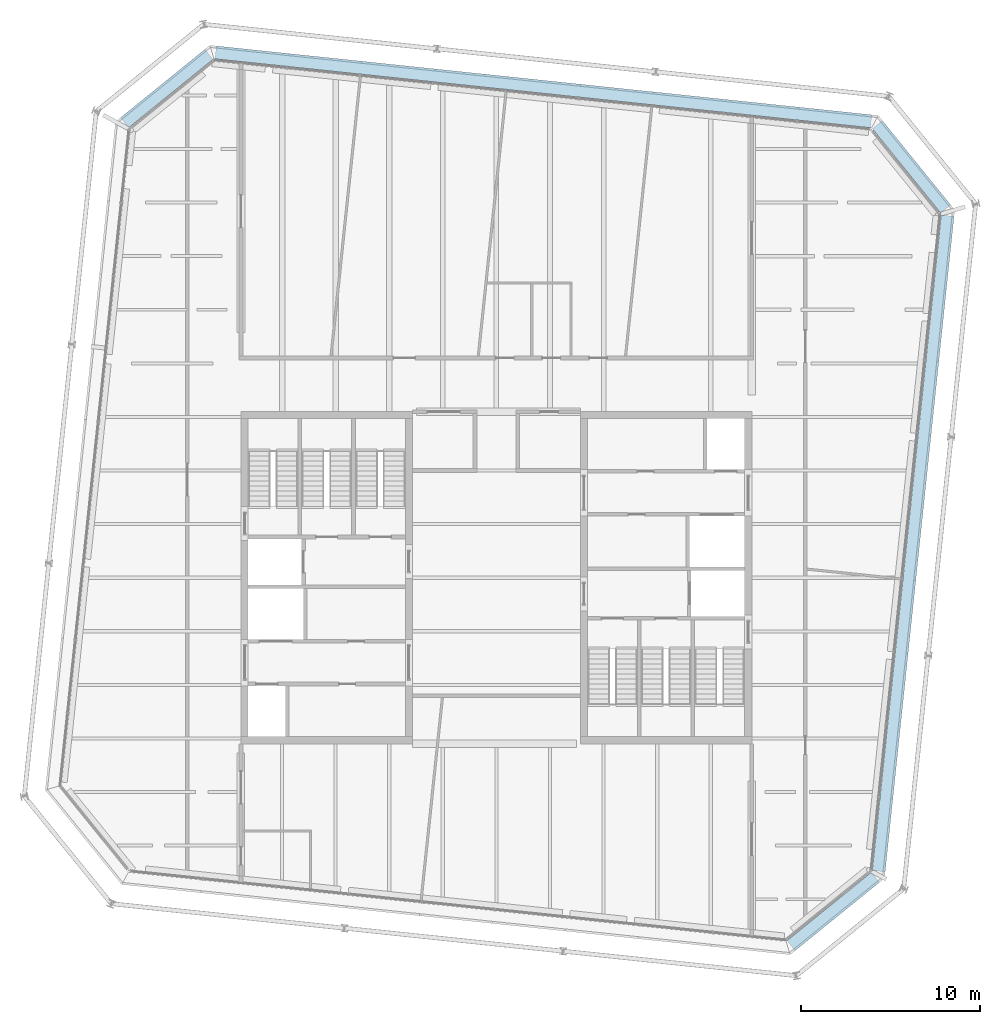
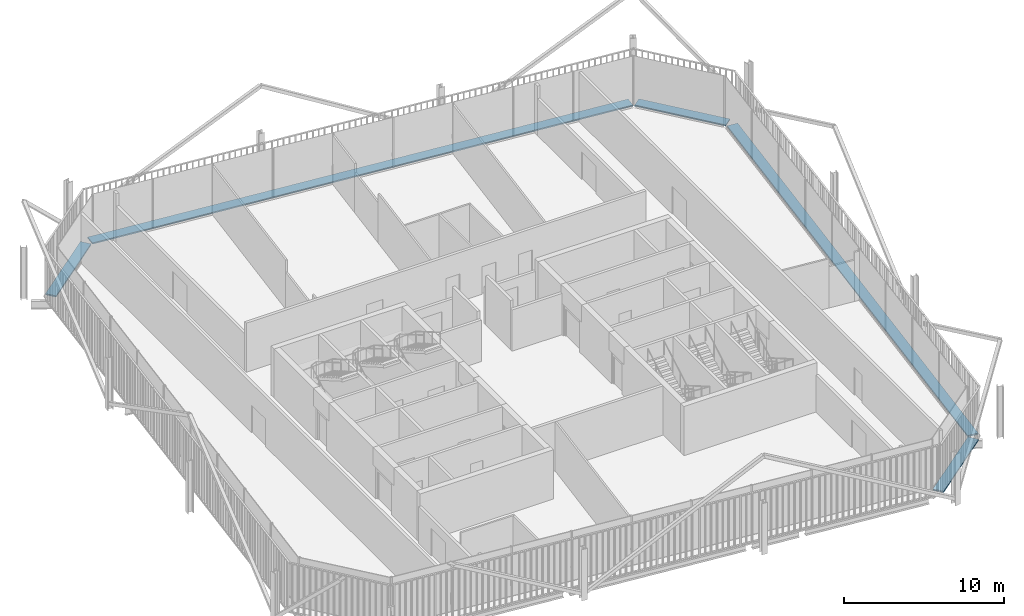
# One storey, part 20 of 21: 5 discrete accessories.
"""IFC4 building model written with IfcOpenShell, lengths in metres."""

from ifc_helpers import new_model, si_unit, direction, frame, origin, origin_2d, place, context, subcontext, project, spatial, rectangle, extrude, material, type_object, element, save


model = new_model("IFC4")

# Units and contexts
model_context = context("Model", 3, precision=1e-05, world=origin(), true_north=direction((0.0, 1.0)))
body_context = subcontext(model_context, "Body", "Model", "MODEL_VIEW")
ifc_project = project(units=[si_unit("LENGTHUNIT", "METRE"), si_unit("AREAUNIT", "SQUARE_METRE"), si_unit("VOLUMEUNIT", "CUBIC_METRE"), si_unit("PLANEANGLEUNIT", "RADIAN"), si_unit("MASSUNIT", "GRAM", prefix="KILO")], contexts=[model_context])

# Site, building, storey
site_placement = place(None, origin())
site = spatial("IfcSite", under=ifc_project, at=site_placement, CompositionType="ELEMENT")
building_placement = place(site_placement, origin())
building = spatial("IfcBuilding", under=site, at=building_placement, Name="Millrace Tower", CompositionType="ELEMENT")
storey_placement = place(building_placement, frame((0.0, 0.0, 276.0)))
storey = spatial("IfcBuildingStorey", under=building, at=storey_placement, Name="L63", CompositionType="ELEMENT", Elevation=276.0)

# Discrete accessories
ifc_material = material(Name="Stainless steel ASTM A240 type 316", Category="steel")
discrete_accessory_type = type_object("IfcDiscreteAccessoryType", Name="Thermally broken screen support rail", PredefinedType="BRACKET", material=ifc_material)
discrete_accessory_1_placement = place(storey_placement, frame((18.854736328125, -18.686767578125, 0.0), z_axis=(0.0, 0.0, 1.0), x_axis=(0.777146052237, 0.629320278945, 0.0)))
element("IfcDiscreteAccessory", 1, at=discrete_accessory_1_placement, inside=storey, type_object=discrete_accessory_type, Name="Thermally broken screen support rail E-F03 L63 1", PredefinedType="BRACKET", context=body_context, shape_type="SweptSolid", body=[
    extrude(rectangle(XDim=6.0810546875, YDim=0.719970703125, at=origin_2d()), origin(), (0.0, 0.0, 1.0), 0.10009765625),
])
discrete_accessory_2_placement = place(storey_placement, frame((23.33251953125, 1.918701171875, 0.0), z_axis=(0.0, 0.0, 1.0), x_axis=(0.104528455196, 0.994521896217, 0.0)))
element("IfcDiscreteAccessory", 2, at=discrete_accessory_2_placement, inside=storey, type_object=discrete_accessory_type, Name="Thermally broken screen support rail E-F04 L63 1", PredefinedType="BRACKET", context=body_context, shape_type="SweptSolid", body=[
    extrude(rectangle(XDim=36.89990234375, YDim=0.719970703125, at=origin_2d()), origin(), (0.0, 0.0, 1.0), 0.10009765625),
])
discrete_accessory_3_placement = place(storey_placement, frame((23.23681640625, 23.0048828125, 0.0), z_axis=(0.0, 0.0, 1.0), x_axis=(-0.629320278945, 0.777146052237, 0.0)))
element("IfcDiscreteAccessory", 3, at=discrete_accessory_3_placement, inside=storey, type_object=discrete_accessory_type, Name="Thermally broken screen support rail E-F05 L63 1", PredefinedType="BRACKET", context=body_context, shape_type="SweptSolid", body=[
    extrude(rectangle(XDim=6.0810546875, YDim=0.719970703125, at=origin_2d()), origin(), (0.0, 0.0, 1.0), 0.10009765625),
])
discrete_accessory_4_placement = place(storey_placement, frame((2.63134765625, 27.482666015625, 0.0), z_axis=(0.0, 0.0, 1.0), x_axis=(-0.994521896217, 0.104528455196, 0.0)))
element("IfcDiscreteAccessory", 4, at=discrete_accessory_4_placement, inside=storey, type_object=discrete_accessory_type, Name="Thermally broken screen support rail E-F06 L63 1", PredefinedType="BRACKET", context=body_context, shape_type="SweptSolid", body=[
    extrude(rectangle(XDim=36.89990234375, YDim=0.719970703125, at=origin_2d()), origin(), (0.0, 0.0, 1.0), 0.10009765625),
])
discrete_accessory_5_placement = place(storey_placement, frame((-18.454833984375, 27.38671875, 0.0), z_axis=(0.0, 0.0, 1.0), x_axis=(-0.777146052237, -0.629320278945, 0.0)))
element("IfcDiscreteAccessory", 5, at=discrete_accessory_5_placement, inside=storey, type_object=discrete_accessory_type, Name="Thermally broken screen support rail E-F07 L63 1", PredefinedType="BRACKET", context=body_context, shape_type="SweptSolid", body=[
    extrude(rectangle(XDim=6.0810546875, YDim=0.719970703125, at=origin_2d()), origin(), (0.0, 0.0, 1.0), 0.10009765625),
])

save(model, "model.ifc")
